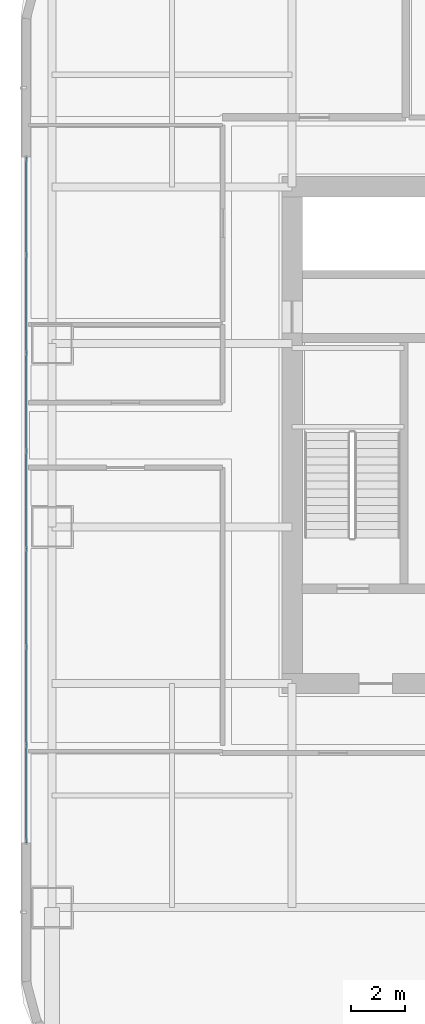
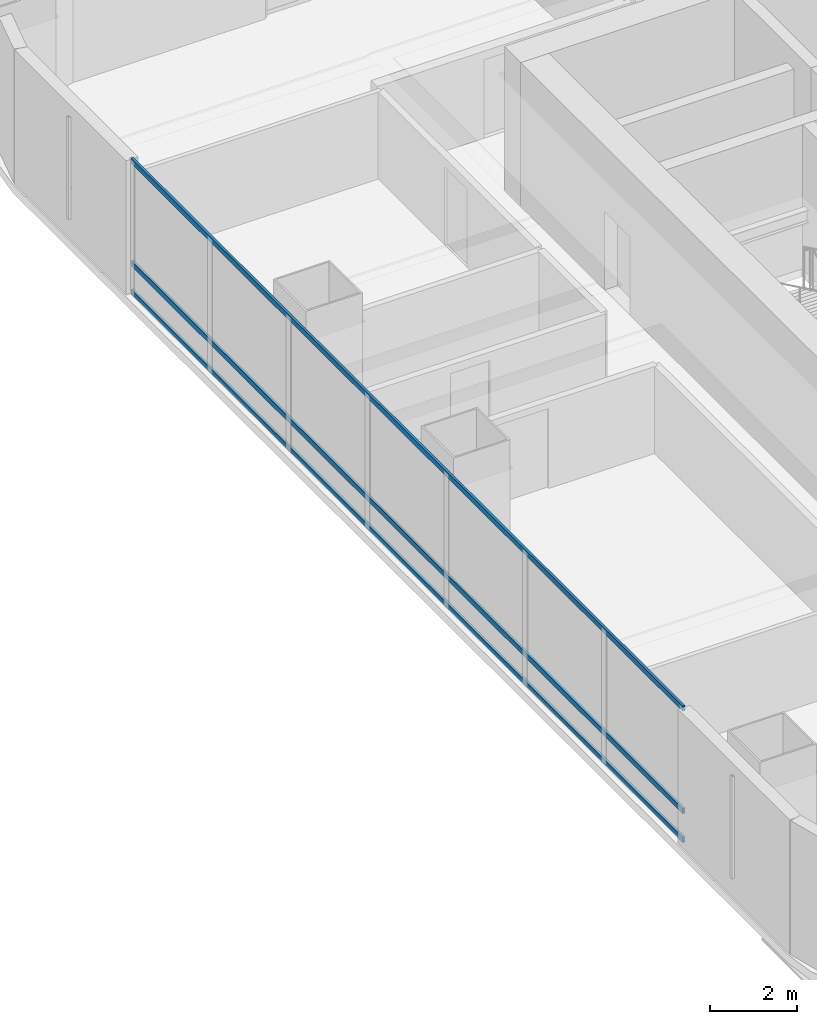
# One storey, part 9 of 42: 3 members, 1 element without a shape of its own.
"""IFC4 building model written with IfcOpenShell, lengths in metres."""

from ifc_helpers import new_model, si_unit, direction, frame, origin, origin_2d, place, context, subcontext, project, spatial, hollow_rectangle, extrude, material, material_profile, profile_set, type_object, element, aggregate, save


model = new_model("IFC4")

# Units and contexts
model_context = context("Model", 3, precision=1e-05, world=origin(), true_north=direction((0.0, 1.0)))
body_context = subcontext(model_context, "Body", "Model", "MODEL_VIEW")
ifc_project = project(units=[si_unit("LENGTHUNIT", "METRE"), si_unit("AREAUNIT", "SQUARE_METRE"), si_unit("VOLUMEUNIT", "CUBIC_METRE"), si_unit("PLANEANGLEUNIT", "RADIAN"), si_unit("MASSUNIT", "GRAM", prefix="KILO")], contexts=[model_context])

# Site, building, storey
site_placement = place(None, origin())
site = spatial("IfcSite", under=ifc_project, at=site_placement, CompositionType="ELEMENT")
building_placement = place(site_placement, origin())
building = spatial("IfcBuilding", under=site, at=building_placement, Name="Punatoya Terracotta Tower", CompositionType="ELEMENT")
storey_placement = place(building_placement, frame((0.0, 0.0, 88.949951171875)))
storey = spatial("IfcBuildingStorey", under=building, at=storey_placement, Name="L20", CompositionType="ELEMENT", Elevation=88.949951171875)

# Curtain wall, members
ifc_material_1 = material(Name="Aluminium 6063-T6 + Double Low-E Glass", Category="aluminium")
curtain_wall_type = type_object("IfcCurtainWallType", Name="CW-M1", PredefinedType="NOTDEFINED", material=ifc_material_1)
curtain_wall_placement = place(storey_placement, origin())
curtain_wall = element("IfcCurtainWall", 1, at=curtain_wall_placement, inside=storey, type_object=curtain_wall_type, Name="L20 Curtain Wall CW-L20-W13-1", PredefinedType="NOTDEFINED")
ifc_material_2 = material(Name="Aluminium 6063-T6", Category="aluminium")
ifc_material_profile = material_profile(ifc_material_2, hollow_rectangle(XDim=0.068115234375, YDim=0.14990234375, WallThickness=0.00390625, at=origin_2d()))
ifc_profile_set = profile_set([ifc_material_profile], Name="Aluminium 6063-T6")
member_type = type_object("IfcMemberType", Name="CW-TRN-TYP", PredefinedType="USERDEFINED", material=ifc_profile_set)
member_1_placement = place(storey_placement, frame((-20.050048828125, 10.300048828125, 0.0400390625), z_axis=(0.0, -1.0, 0.0), x_axis=(1.0, 0.0, 0.0)))
member_1 = element("IfcMember", 2, at=member_1_placement, type_object=member_type, Name="CW-L20-W13-1 Transom 1", ObjectType="TRANSOM", PredefinedType="USERDEFINED", context=body_context, shape_type="SweptSolid", body=[
    extrude(hollow_rectangle(XDim=0.068115234375, YDim=0.14990234375, WallThickness=0.00390625, at=origin_2d()), origin(), (0.0, 0.0, 1.0), 25.400146484375),
])
member_2_placement = place(storey_placement, frame((-20.050048828125, 10.300048828125, 0.85009765625), z_axis=(0.0, -1.0, 0.0), x_axis=(1.0, 0.0, 0.0)))
member_2 = element("IfcMember", 3, at=member_2_placement, type_object=member_type, Name="CW-L20-W13-1 Transom 2", ObjectType="TRANSOM", PredefinedType="USERDEFINED", context=body_context, shape_type="SweptSolid", body=[
    extrude(hollow_rectangle(XDim=0.068115234375, YDim=0.14990234375, WallThickness=0.00390625, at=origin_2d()), origin(), (0.0, 0.0, 1.0), 25.400146484375),
])
member_3_placement = place(storey_placement, frame((-20.050048828125, 10.300048828125, 3.72998046875), z_axis=(0.0, -1.0, 0.0), x_axis=(1.0, 0.0, 0.0)))
member_3 = element("IfcMember", 4, at=member_3_placement, type_object=member_type, Name="CW-L20-W13-1 Transom 3", ObjectType="TRANSOM", PredefinedType="USERDEFINED", context=body_context, shape_type="SweptSolid", body=[
    extrude(hollow_rectangle(XDim=0.068115234375, YDim=0.14990234375, WallThickness=0.00390625, at=origin_2d()), origin(), (0.0, 0.0, 1.0), 25.400146484375),
])
aggregate(curtain_wall, [member_1, member_2, member_3])

save(model, "model.ifc")
